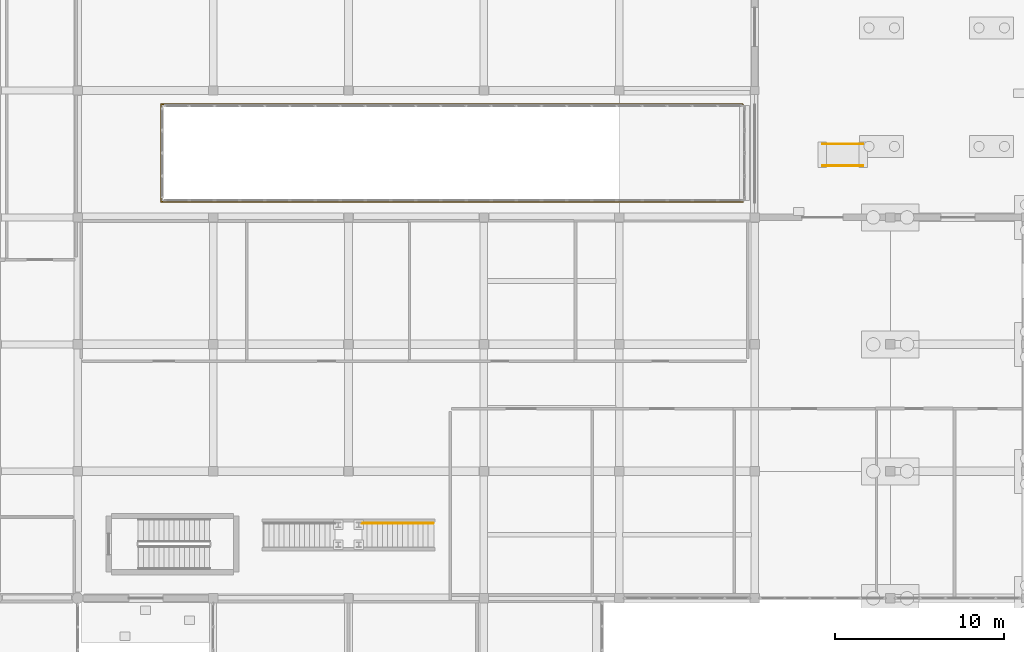
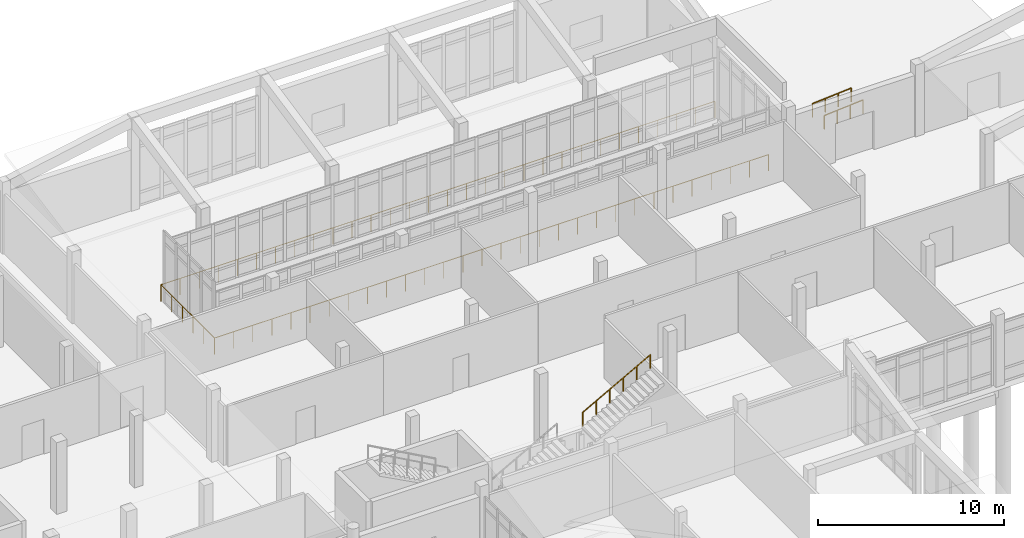
# One storey, part 172 of 173: 4 railings.
"""IFC4 building model written with IfcOpenShell, lengths in metres."""

from ifc_helpers import new_model, si_unit, direction, frame, origin, origin_2d, place, context, subcontext, project, spatial, circle, extrude, material, type_object, element, save


model = new_model("IFC4")

# Units and contexts
model_context = context("Model", 3, precision=1e-05, world=origin(), true_north=direction((0.0, 1.0)))
body_context = subcontext(model_context, "Body", "Model", "MODEL_VIEW")
ifc_project = project(units=[si_unit("LENGTHUNIT", "METRE"), si_unit("AREAUNIT", "SQUARE_METRE"), si_unit("VOLUMEUNIT", "CUBIC_METRE"), si_unit("PLANEANGLEUNIT", "RADIAN"), si_unit("MASSUNIT", "GRAM", prefix="KILO")], contexts=[model_context])

# Site, building, storey
site_placement = place(None, origin())
site = spatial("IfcSite", under=ifc_project, at=site_placement, CompositionType="ELEMENT")
building_placement = place(site_placement, origin())
building = spatial("IfcBuilding", under=site, at=building_placement, Name="Mawjan Specialist Oncology Clinic", CompositionType="ELEMENT")
storey_placement = place(building_placement, origin())
storey = spatial("IfcBuildingStorey", under=building, at=storey_placement, Name="L00", CompositionType="ELEMENT", Elevation=0.0)

# Railings
ifc_material_1 = material(Name="Powder-coated steel stair guard with vertical infill pickets", Category="steel")
railing_type_1 = type_object("IfcRailingType", Name="GR-110", PredefinedType="GUARDRAIL", material=ifc_material_1)
railing_1_placement = place(storey_placement, frame((147.300048828125, 99.219970703125, 0.0)))
element("IfcRailing", 1, at=railing_1_placement, inside=storey, type_object=railing_type_1, Name="L00 Vehicle Ramp Well Perimeter Guard", PredefinedType="GUARDRAIL", context=body_context, shape_type="SweptSolid", body=[
    extrude(circle(Radius=0.02392578125, at=origin_2d()), frame((0.0, 0.0, 1.076171875), z_axis=(-1.0, 0.0, 0.0), x_axis=(0.0, -1.0, 0.0)), (0.0, 0.0, 1.0), 34.380126953125),
    extrude(circle(Radius=0.02392578125, at=origin_2d()), frame((-34.380126953125, 0.0, 1.076171875), z_axis=(0.0, 1.0, 0.0), x_axis=(-1.0, 0.0, 0.0)), (0.0, 0.0, 1.0), 5.760009765625),
    extrude(circle(Radius=0.02392578125, at=origin_2d()), frame((-34.380126953125, 5.760009765625, 1.076171875), z_axis=(1.0, 0.0, 0.0), x_axis=(0.0, 1.0, 0.0)), (0.0, 0.0, 1.0), 34.380126953125),
    extrude(circle(Radius=0.02099609375, at=origin_2d()), origin(), (0.0, 0.0, 1.0), 1.052001953125),
    extrude(circle(Radius=0.02099609375, at=origin_2d()), frame((-1.185546875, 0.0, 0.0)), (0.0, 0.0, 1.0), 1.052001953125),
    extrude(circle(Radius=0.02099609375, at=origin_2d()), frame((-2.37109375, 0.0, 0.0)), (0.0, 0.0, 1.0), 1.052001953125),
    extrude(circle(Radius=0.02099609375, at=origin_2d()), frame((-3.556640625, 0.0, 0.0)), (0.0, 0.0, 1.0), 1.052001953125),
    extrude(circle(Radius=0.02099609375, at=origin_2d()), frame((-4.7421875, 0.0, 0.0)), (0.0, 0.0, 1.0), 1.052001953125),
    extrude(circle(Radius=0.02099609375, at=origin_2d()), frame((-5.927490234375, 0.0, 0.0)), (0.0, 0.0, 1.0), 1.052001953125),
    extrude(circle(Radius=0.02099609375, at=origin_2d()), frame((-7.113037109375, 0.0, 0.0)), (0.0, 0.0, 1.0), 1.052001953125),
    extrude(circle(Radius=0.02099609375, at=origin_2d()), frame((-8.298583984375, 0.0, 0.0)), (0.0, 0.0, 1.0), 1.052001953125),
    extrude(circle(Radius=0.02099609375, at=origin_2d()), frame((-9.484130859375, 0.0, 0.0)), (0.0, 0.0, 1.0), 1.052001953125),
    extrude(circle(Radius=0.02099609375, at=origin_2d()), frame((-10.669677734375, 0.0, 0.0)), (0.0, 0.0, 1.0), 1.052001953125),
    extrude(circle(Radius=0.02099609375, at=origin_2d()), frame((-11.855224609375, 0.0, 0.0)), (0.0, 0.0, 1.0), 1.052001953125),
    extrude(circle(Radius=0.02099609375, at=origin_2d()), frame((-13.040771484375, 0.0, 0.0)), (0.0, 0.0, 1.0), 1.052001953125),
    extrude(circle(Radius=0.02099609375, at=origin_2d()), frame((-14.226318359375, 0.0, 0.0)), (0.0, 0.0, 1.0), 1.052001953125),
    extrude(circle(Radius=0.02099609375, at=origin_2d()), frame((-15.411865234375, 0.0, 0.0)), (0.0, 0.0, 1.0), 1.052001953125),
    extrude(circle(Radius=0.02099609375, at=origin_2d()), frame((-16.597412109375, 0.0, 0.0)), (0.0, 0.0, 1.0), 1.052001953125),
    extrude(circle(Radius=0.02099609375, at=origin_2d()), frame((-17.78271484375, 0.0, 0.0)), (0.0, 0.0, 1.0), 1.052001953125),
    extrude(circle(Radius=0.02099609375, at=origin_2d()), frame((-18.96826171875, 0.0, 0.0)), (0.0, 0.0, 1.0), 1.052001953125),
    extrude(circle(Radius=0.02099609375, at=origin_2d()), frame((-20.15380859375, 0.0, 0.0)), (0.0, 0.0, 1.0), 1.052001953125),
    extrude(circle(Radius=0.02099609375, at=origin_2d()), frame((-21.33935546875, 0.0, 0.0)), (0.0, 0.0, 1.0), 1.052001953125),
    extrude(circle(Radius=0.02099609375, at=origin_2d()), frame((-22.52490234375, 0.0, 0.0)), (0.0, 0.0, 1.0), 1.052001953125),
    extrude(circle(Radius=0.02099609375, at=origin_2d()), frame((-23.71044921875, 0.0, 0.0)), (0.0, 0.0, 1.0), 1.052001953125),
    extrude(circle(Radius=0.02099609375, at=origin_2d()), frame((-24.89599609375, 0.0, 0.0)), (0.0, 0.0, 1.0), 1.052001953125),
    extrude(circle(Radius=0.02099609375, at=origin_2d()), frame((-26.08154296875, 0.0, 0.0)), (0.0, 0.0, 1.0), 1.052001953125),
    extrude(circle(Radius=0.02099609375, at=origin_2d()), frame((-27.26708984375, 0.0, 0.0)), (0.0, 0.0, 1.0), 1.052001953125),
    extrude(circle(Radius=0.02099609375, at=origin_2d()), frame((-28.45263671875, 0.0, 0.0)), (0.0, 0.0, 1.0), 1.052001953125),
    extrude(circle(Radius=0.02099609375, at=origin_2d()), frame((-29.637939453125, 0.0, 0.0)), (0.0, 0.0, 1.0), 1.052001953125),
    extrude(circle(Radius=0.02099609375, at=origin_2d()), frame((-30.823486328125, 0.0, 0.0)), (0.0, 0.0, 1.0), 1.052001953125),
    extrude(circle(Radius=0.02099609375, at=origin_2d()), frame((-32.009033203125, 0.0, 0.0)), (0.0, 0.0, 1.0), 1.052001953125),
    extrude(circle(Radius=0.02099609375, at=origin_2d()), frame((-33.194580078125, 0.0, 0.0)), (0.0, 0.0, 1.0), 1.052001953125),
    extrude(circle(Radius=0.02099609375, at=origin_2d()), frame((-34.380126953125, 0.0, 0.0)), (0.0, 0.0, 1.0), 1.052001953125),
    extrude(circle(Radius=0.02099609375, at=origin_2d()), frame((-34.380126953125, 1.152099609375, 0.0)), (0.0, 0.0, 1.0), 1.052001953125),
    extrude(circle(Radius=0.02099609375, at=origin_2d()), frame((-34.380126953125, 2.303955078125, 0.0)), (0.0, 0.0, 1.0), 1.052001953125),
    extrude(circle(Radius=0.02099609375, at=origin_2d()), frame((-34.380126953125, 3.4560546875, 0.0)), (0.0, 0.0, 1.0), 1.052001953125),
    extrude(circle(Radius=0.02099609375, at=origin_2d()), frame((-34.380126953125, 4.60791015625, 0.0)), (0.0, 0.0, 1.0), 1.052001953125),
    extrude(circle(Radius=0.02099609375, at=origin_2d()), frame((-34.380126953125, 5.760009765625, 0.0)), (0.0, 0.0, 1.0), 1.052001953125),
    extrude(circle(Radius=0.02099609375, at=origin_2d()), frame((-33.194580078125, 5.760009765625, 0.0)), (0.0, 0.0, 1.0), 1.052001953125),
    extrude(circle(Radius=0.02099609375, at=origin_2d()), frame((-32.009033203125, 5.760009765625, 0.0)), (0.0, 0.0, 1.0), 1.052001953125),
    extrude(circle(Radius=0.02099609375, at=origin_2d()), frame((-30.823486328125, 5.760009765625, 0.0)), (0.0, 0.0, 1.0), 1.052001953125),
    extrude(circle(Radius=0.02099609375, at=origin_2d()), frame((-29.637939453125, 5.760009765625, 0.0)), (0.0, 0.0, 1.0), 1.052001953125),
    extrude(circle(Radius=0.02099609375, at=origin_2d()), frame((-28.45263671875, 5.760009765625, 0.0)), (0.0, 0.0, 1.0), 1.052001953125),
    extrude(circle(Radius=0.02099609375, at=origin_2d()), frame((-27.26708984375, 5.760009765625, 0.0)), (0.0, 0.0, 1.0), 1.052001953125),
    extrude(circle(Radius=0.02099609375, at=origin_2d()), frame((-26.08154296875, 5.760009765625, 0.0)), (0.0, 0.0, 1.0), 1.052001953125),
    extrude(circle(Radius=0.02099609375, at=origin_2d()), frame((-24.89599609375, 5.760009765625, 0.0)), (0.0, 0.0, 1.0), 1.052001953125),
    extrude(circle(Radius=0.02099609375, at=origin_2d()), frame((-23.71044921875, 5.760009765625, 0.0)), (0.0, 0.0, 1.0), 1.052001953125),
    extrude(circle(Radius=0.02099609375, at=origin_2d()), frame((-22.52490234375, 5.760009765625, 0.0)), (0.0, 0.0, 1.0), 1.052001953125),
    extrude(circle(Radius=0.02099609375, at=origin_2d()), frame((-21.33935546875, 5.760009765625, 0.0)), (0.0, 0.0, 1.0), 1.052001953125),
    extrude(circle(Radius=0.02099609375, at=origin_2d()), frame((-20.15380859375, 5.760009765625, 0.0)), (0.0, 0.0, 1.0), 1.052001953125),
    extrude(circle(Radius=0.02099609375, at=origin_2d()), frame((-18.96826171875, 5.760009765625, 0.0)), (0.0, 0.0, 1.0), 1.052001953125),
    extrude(circle(Radius=0.02099609375, at=origin_2d()), frame((-17.78271484375, 5.760009765625, 0.0)), (0.0, 0.0, 1.0), 1.052001953125),
    extrude(circle(Radius=0.02099609375, at=origin_2d()), frame((-16.597412109375, 5.760009765625, 0.0)), (0.0, 0.0, 1.0), 1.052001953125),
    extrude(circle(Radius=0.02099609375, at=origin_2d()), frame((-15.411865234375, 5.760009765625, 0.0)), (0.0, 0.0, 1.0), 1.052001953125),
    extrude(circle(Radius=0.02099609375, at=origin_2d()), frame((-14.226318359375, 5.760009765625, 0.0)), (0.0, 0.0, 1.0), 1.052001953125),
    extrude(circle(Radius=0.02099609375, at=origin_2d()), frame((-13.040771484375, 5.760009765625, 0.0)), (0.0, 0.0, 1.0), 1.052001953125),
    extrude(circle(Radius=0.02099609375, at=origin_2d()), frame((-11.855224609375, 5.760009765625, 0.0)), (0.0, 0.0, 1.0), 1.052001953125),
    extrude(circle(Radius=0.02099609375, at=origin_2d()), frame((-10.669677734375, 5.760009765625, 0.0)), (0.0, 0.0, 1.0), 1.052001953125),
    extrude(circle(Radius=0.02099609375, at=origin_2d()), frame((-9.484130859375, 5.760009765625, 0.0)), (0.0, 0.0, 1.0), 1.052001953125),
    extrude(circle(Radius=0.02099609375, at=origin_2d()), frame((-8.298583984375, 5.760009765625, 0.0)), (0.0, 0.0, 1.0), 1.052001953125),
    extrude(circle(Radius=0.02099609375, at=origin_2d()), frame((-7.113037109375, 5.760009765625, 0.0)), (0.0, 0.0, 1.0), 1.052001953125),
    extrude(circle(Radius=0.02099609375, at=origin_2d()), frame((-5.927490234375, 5.760009765625, 0.0)), (0.0, 0.0, 1.0), 1.052001953125),
    extrude(circle(Radius=0.02099609375, at=origin_2d()), frame((-4.7421875, 5.760009765625, 0.0)), (0.0, 0.0, 1.0), 1.052001953125),
    extrude(circle(Radius=0.02099609375, at=origin_2d()), frame((-3.556640625, 5.760009765625, 0.0)), (0.0, 0.0, 1.0), 1.052001953125),
    extrude(circle(Radius=0.02099609375, at=origin_2d()), frame((-2.37109375, 5.760009765625, 0.0)), (0.0, 0.0, 1.0), 1.052001953125),
    extrude(circle(Radius=0.02099609375, at=origin_2d()), frame((-1.185546875, 5.760009765625, 0.0)), (0.0, 0.0, 1.0), 1.052001953125),
    extrude(circle(Radius=0.02099609375, at=origin_2d()), frame((0.0, 5.760009765625, 0.0)), (0.0, 0.0, 1.0), 1.052001953125),
])
ifc_material_2 = material(Name="Brushed stainless-steel tubular handrail", Category="steel")
railing_type_2 = type_object("IfcRailingType", Name="HR-090", PredefinedType="HANDRAIL", material=ifc_material_2)
railing_2_placement = place(storey_placement, frame((124.800048828125, 80.22509765625, 2.666748046875)))
element("IfcRailing", 2, at=railing_2_placement, inside=storey, type_object=railing_type_2, Name="ST-12 Communicating Stair Handrail 2", PredefinedType="HANDRAIL", context=body_context, shape_type="SweptSolid", body=[
    extrude(circle(Radius=0.02392578125, at=origin_2d()), frame((0.0, 0.0, 0.8759765625), z_axis=(0.874162069901, 0.0, 0.485634302275), x_axis=(0.0, 1.0, 0.0)), (0.0, 0.0, 1.0), 4.804443359375),
    extrude(circle(Radius=0.02099609375, at=origin_2d()), origin(), (0.0, 0.0, 1.0), 0.851806640625),
    extrude(circle(Radius=0.02099609375, at=origin_2d()), frame((0.840087890625, 0.0, 0.466552734375)), (0.0, 0.0, 1.0), 0.851806640625),
    extrude(circle(Radius=0.02099609375, at=origin_2d()), frame((1.679931640625, 0.0, 0.933349609375)), (0.0, 0.0, 1.0), 0.851806640625),
    extrude(circle(Radius=0.02099609375, at=origin_2d()), frame((2.52001953125, 0.0, 1.39990234375)), (0.0, 0.0, 1.0), 0.851806640625),
    extrude(circle(Radius=0.02099609375, at=origin_2d()), frame((3.35986328125, 0.0, 1.86669921875)), (0.0, 0.0, 1.0), 0.851806640625),
    extrude(circle(Radius=0.02099609375, at=origin_2d()), frame((4.199951171875, 0.0, 2.333251953125)), (0.0, 0.0, 1.0), 0.851806640625),
])
for number, where, name in (
    (3, (152.0, 101.360107421875, -0.179931640625), "PR-04 Accessible Ramp Handrail L"),
    (4, (152.0, 102.639892578125, -0.179931640625), "PR-04 Accessible Ramp Handrail R"),
):
    element("IfcRailing", number, at=place(storey_placement, frame(where)), inside=storey, type_object=railing_type_2, Name=name, PredefinedType="HANDRAIL", context=body_context, shape_type="SweptSolid", body=[
        extrude(circle(Radius=0.02392578125, at=origin_2d()), frame((0.0, 0.0, 0.8759765625), z_axis=(0.997201201018, 0.0, 0.074764728906), x_axis=(0.0, 1.0, 0.0)), (0.0, 0.0, 1.0), 2.40673828125),
        extrude(circle(Radius=0.02099609375, at=origin_2d()), origin(), (0.0, 0.0, 1.0), 0.851806640625),
        extrude(circle(Radius=0.02099609375, at=origin_2d()), frame((0.800048828125, 0.0, 0.06005859375)), (0.0, 0.0, 1.0), 0.851806640625),
        extrude(circle(Radius=0.02099609375, at=origin_2d()), frame((1.599853515625, 0.0, 0.119873046875)), (0.0, 0.0, 1.0), 0.851806640625),
        extrude(circle(Radius=0.02099609375, at=origin_2d()), frame((2.39990234375, 0.0, 0.179931640625)), (0.0, 0.0, 1.0), 0.851806640625),
    ])

save(model, "model.ifc")
